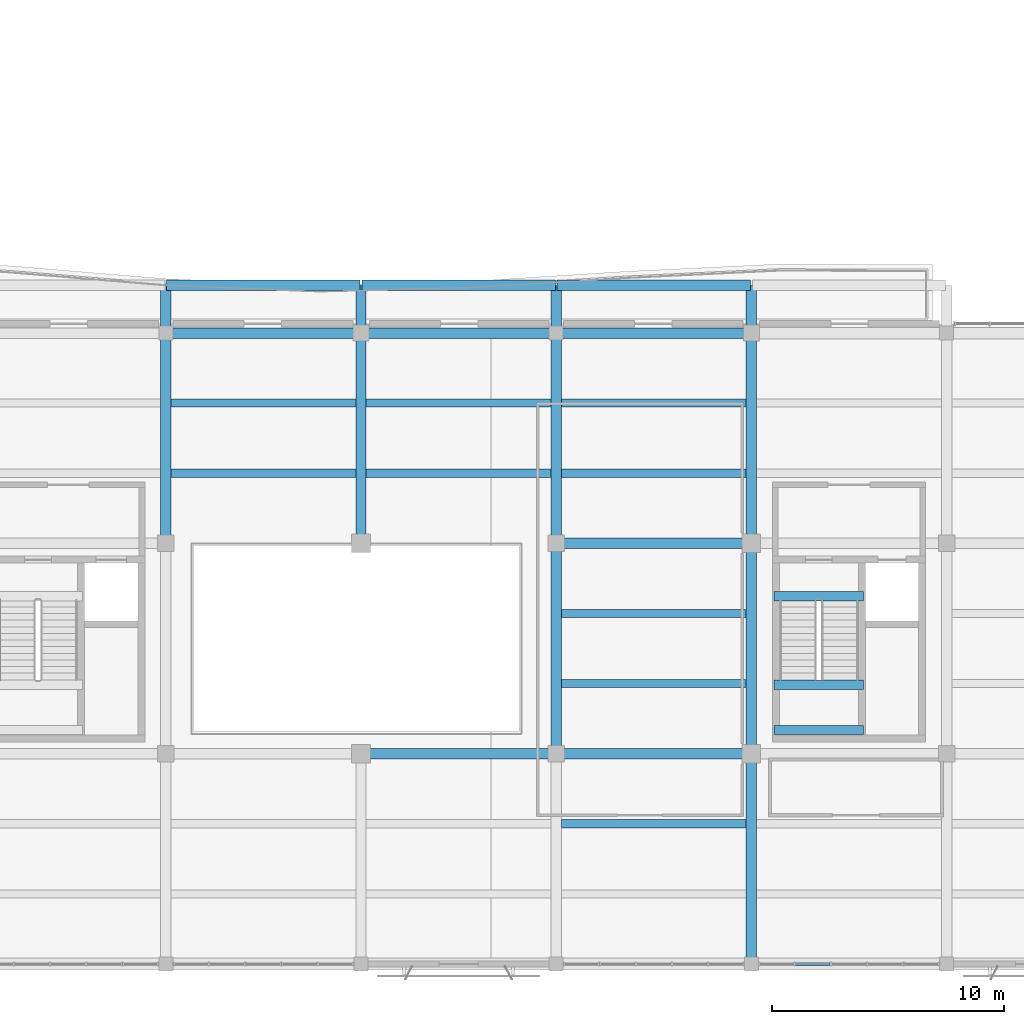
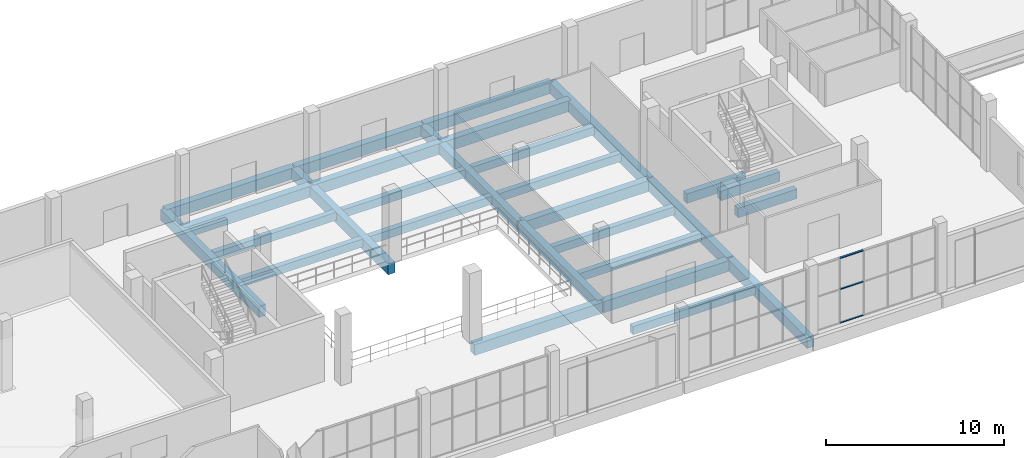
# One storey, part 18 of 80: 28 beams, 3 members, 1 element without a shape of its own.
"""IFC4 building model written with IfcOpenShell, lengths in metres."""

from ifc_helpers import new_model, si_unit, direction, frame, origin, origin_2d, place, context, subcontext, project, spatial, rectangle, hollow_rectangle, extrude, material, material_profile, profile_set, type_object, element, aggregate, save


model = new_model("IFC4")

# Units and contexts
model_context = context("Model", 3, precision=1e-05, world=origin(), true_north=direction((0.0, 1.0)))
body_context = subcontext(model_context, "Body", "Model", "MODEL_VIEW")
ifc_project = project(units=[si_unit("LENGTHUNIT", "METRE"), si_unit("AREAUNIT", "SQUARE_METRE"), si_unit("VOLUMEUNIT", "CUBIC_METRE"), si_unit("PLANEANGLEUNIT", "RADIAN"), si_unit("MASSUNIT", "GRAM", prefix="KILO")], contexts=[model_context])

# Site, building, storey
site_placement = place(None, origin())
site = spatial("IfcSite", under=ifc_project, at=site_placement, CompositionType="ELEMENT")
building_placement = place(site_placement, origin())
building = spatial("IfcBuilding", under=site, at=building_placement, Name="Khurvash Pelagic Aquarium", CompositionType="ELEMENT")
storey_placement = place(building_placement, frame((0.0, 0.0, 10.800048828125)))
storey = spatial("IfcBuildingStorey", under=building, at=storey_placement, Name="L02", CompositionType="ELEMENT", Elevation=10.800048828125)

# Beams
ifc_material_1 = material(Name="Concrete C35/45", Category="concrete")
ifc_material_profile_1 = material_profile(ifc_material_1, rectangle(XDim=0.449951171875, YDim=0.75, at=origin_2d()), Name="RC450X750")
ifc_profile_set_1 = profile_set([ifc_material_profile_1], Name="Concrete C35/45")
beam_type_1 = type_object("IfcBeamType", Name="BM-04", PredefinedType="BEAM", material=ifc_profile_set_1)
for number, where, z_axis, x_axis, name in (
    (1, (75.639892578125, 11.64990234375, -0.695068359375), (1.0, 0.0, 0.0), (0.0, 1.0, 0.0), "L02 Primary Girder BM-04 00578"),
    (2, (84.0400390625, 11.64990234375, -0.695068359375), (1.0, 0.0, 0.0), (0.0, 1.0, 0.0), "L02 Primary Girder BM-04 00579"),
    (3, (84.0400390625, 20.699951171875, -0.695068359375), (1.0, 0.0, 0.0), (0.0, 1.0, 0.0), "L02 Primary Girder BM-04 00587"),
    (4, (67.239990234375, 29.75, -0.695068359375), (1.0, 0.0, 0.0), (0.0, 1.0, 0.0), "L02 Primary Girder BM-04 00596"),
    (5, (75.639892578125, 29.75, -0.695068359375), (1.0, 0.0, 0.0), (0.0, 1.0, 0.0), "L02 Primary Girder BM-04 00597"),
    (6, (84.0400390625, 29.75, -0.695068359375), (1.0, 0.0, 0.0), (0.0, 1.0, 0.0), "L02 Primary Girder BM-04 00598"),
):
    element("IfcBeam", number, at=place(storey_placement, frame(where, z_axis=z_axis, x_axis=x_axis)), inside=storey, type_object=beam_type_1, Name=name, PredefinedType="BEAM", context=body_context, shape_type="SweptSolid", body=[
        extrude(rectangle(XDim=0.449951171875, YDim=0.75, at=origin_2d()), origin(), (0.0, 0.0, 1.0), 8.320068359375),
    ])
for number, where, z_axis, x_axis, name in (
    (7, (67.199951171875, 20.739990234375, -0.695068359375), (0.0, 1.0, 0.0), (-1.0, 0.0, 0.0), "L02 Primary Girder BM-04 00688"),
    (8, (75.60009765625, 20.739990234375, -0.695068359375), (0.0, 1.0, 0.0), (-1.0, 0.0, 0.0), "L02 Primary Girder BM-04 00692"),
):
    element("IfcBeam", number, at=place(storey_placement, frame(where, z_axis=z_axis, x_axis=x_axis)), inside=storey, type_object=beam_type_1, Name=name, PredefinedType="BEAM", context=body_context, shape_type="SweptSolid", body=[
        extrude(rectangle(XDim=0.449951171875, YDim=0.75, at=origin_2d()), origin(), (0.0, 0.0, 1.0), 11.06005859375),
    ])
beam_1_placement = place(storey_placement, frame((84.0, 11.68994140625, -0.675048828125), z_axis=(0.0, 1.0, 0.0), x_axis=(-1.0, 0.0, 0.0)))
element("IfcBeam", 9, at=beam_1_placement, inside=storey, type_object=beam_type_1, Name="L02 Primary Girder BM-04 00696", PredefinedType="BEAM", context=body_context, shape_type="SweptSolid", body=[
    extrude(rectangle(XDim=0.449951171875, YDim=0.75, at=origin_2d()), origin(), (0.0, 0.0, 1.0), 8.969970703125),
])
beam_2_placement = place(storey_placement, frame((84.0, 20.739990234375, -0.695068359375), z_axis=(0.0, 1.0, 0.0), x_axis=(-1.0, 0.0, 0.0)))
element("IfcBeam", 10, at=beam_2_placement, inside=storey, type_object=beam_type_1, Name="L02 Primary Girder BM-04 00697", PredefinedType="BEAM", context=body_context, shape_type="SweptSolid", body=[
    extrude(rectangle(XDim=0.449951171875, YDim=0.75, at=origin_2d()), origin(), (0.0, 0.0, 1.0), 11.06005859375),
])
beam_3_placement = place(storey_placement, frame((92.39990234375, 2.639892578125, -0.675048828125), z_axis=(0.0, 1.0, 0.0), x_axis=(-1.0, 0.0, 0.0)))
element("IfcBeam", 11, at=beam_3_placement, inside=storey, type_object=beam_type_1, Name="L02 Primary Girder BM-04 00700", PredefinedType="BEAM", context=body_context, shape_type="SweptSolid", body=[
    extrude(rectangle(XDim=0.449951171875, YDim=0.75, at=origin_2d()), origin(), (0.0, 0.0, 1.0), 8.97021484375),
])
beam_4_placement = place(storey_placement, frame((92.39990234375, 11.68994140625, -0.675048828125), z_axis=(0.0, 1.0, 0.0), x_axis=(-1.0, 0.0, 0.0)))
element("IfcBeam", 12, at=beam_4_placement, inside=storey, type_object=beam_type_1, Name="L02 Primary Girder BM-04 00701", PredefinedType="BEAM", context=body_context, shape_type="SweptSolid", body=[
    extrude(rectangle(XDim=0.449951171875, YDim=0.75, at=origin_2d()), origin(), (0.0, 0.0, 1.0), 8.969970703125),
])
beam_5_placement = place(storey_placement, frame((92.39990234375, 20.739990234375, -0.695068359375), z_axis=(0.0, 1.0, 0.0), x_axis=(-1.0, 0.0, 0.0)))
element("IfcBeam", 13, at=beam_5_placement, inside=storey, type_object=beam_type_1, Name="L02 Primary Girder BM-04 00702", PredefinedType="BEAM", context=body_context, shape_type="SweptSolid", body=[
    extrude(rectangle(XDim=0.449951171875, YDim=0.75, at=origin_2d()), origin(), (0.0, 0.0, 1.0), 11.06005859375),
])
for number, where, z_axis, x_axis, name in (
    (14, (67.239990234375, 31.800048828125, -0.695068359375), (1.0, 0.0, 0.0), (0.0, 1.0, 0.0), "L02 Terrace Edge Trimmer Beam BM-04"),
    (15, (75.639892578125, 31.800048828125, -0.695068359375), (1.0, 0.0, 0.0), (0.0, 1.0, 0.0), "L02 Terrace Edge Trimmer Beam BM-04"),
    (16, (84.0400390625, 31.800048828125, -0.695068359375), (1.0, 0.0, 0.0), (0.0, 1.0, 0.0), "L02 Terrace Edge Trimmer Beam BM-04"),
):
    element("IfcBeam", number, at=place(storey_placement, frame(where, z_axis=z_axis, x_axis=x_axis)), inside=storey, type_object=beam_type_1, Name=name, PredefinedType="BEAM", context=body_context, shape_type="SweptSolid", body=[
        extrude(rectangle(XDim=0.449951171875, YDim=0.75, at=origin_2d()), origin(), (0.0, 0.0, 1.0), 8.320068359375),
    ])
ifc_material_profile_2 = material_profile(ifc_material_1, rectangle(XDim=0.39990234375, YDim=0.64990234375, at=origin_2d()), Name="RC400X650")
ifc_profile_set_2 = profile_set([ifc_material_profile_2], Name="Concrete C35/45")
beam_type_2 = type_object("IfcBeamType", Name="BM-05", PredefinedType="BEAM", material=ifc_profile_set_2)
for number, where, z_axis, x_axis, name in (
    (17, (93.3798828125, 18.429931640625, -0.625), (1.0, 0.0, 0.0), (0.0, 1.0, 0.0), "L02 Stair ST-03 Header Trimmer Beam BM-05"),
    (18, (93.3798828125, 12.669921875, 1.875), (1.0, 0.0, 0.0), (0.0, 1.0, 0.0), "L02 Stair ST-03 Mid-Landing Trimmer Beam BM-05"),
    (19, (93.3798828125, 14.610107421875, 1.875), (1.0, 0.0, 0.0), (0.0, 1.0, 0.0), "L02 Stair ST-03 Mid-Landing Trimmer Beam BM-05"),
):
    element("IfcBeam", number, at=place(storey_placement, frame(where, z_axis=z_axis, x_axis=x_axis)), inside=storey, type_object=beam_type_2, Name=name, PredefinedType="BEAM", context=body_context, shape_type="SweptSolid", body=[
        extrude(rectangle(XDim=0.39990234375, YDim=0.64990234375, at=origin_2d()), origin(), (0.0, 0.0, 1.0), 3.840087890625),
    ])

# Curtain wall, members
ifc_material_2 = material(Name="Anodised aluminium and low-E laminated glass", Category="aluminium")
curtain_wall_type = type_object("IfcCurtainWallType", Name="CW-06", PredefinedType="USERDEFINED", material=ifc_material_2)
curtain_wall_placement = place(storey_placement, origin())
curtain_wall = element("IfcCurtainWall", 20, at=curtain_wall_placement, inside=storey, type_object=curtain_wall_type, Name="L02 Facade Unitised Curtain Wall CW-06 0156", ObjectType="UNITISED CURTAIN WALL", PredefinedType="USERDEFINED")
ifc_material_3 = material(Name="Extruded aluminium AW-6063-T6", Category="aluminium")
ifc_material_profile_3 = material_profile(ifc_material_3, hollow_rectangle(XDim=0.1201171875, YDim=0.06005859375, WallThickness=0.00390625, at=origin_2d()), Name="CWT120X60X4")
ifc_profile_set_3 = profile_set([ifc_material_profile_3], Name="Extruded aluminium AW-6063-T6")
member_type = type_object("IfcMemberType", Name="CT-02", PredefinedType="USERDEFINED", material=ifc_profile_set_3)
member_1_placement = place(storey_placement, frame((94.29296875, 2.60009765625, 0.030029296875), z_axis=(1.0, 0.0, 0.0), x_axis=(0.0, 1.0, 0.0)))
member_1 = element("IfcMember", 21, at=member_1_placement, type_object=member_type, Name="CW-06 transom 2.1", ObjectType="TRANSOM", PredefinedType="USERDEFINED", context=body_context, shape_type="SweptSolid", body=[
    extrude(hollow_rectangle(XDim=0.1201171875, YDim=0.06005859375, WallThickness=0.00390625, at=origin_2d()), origin(), (0.0, 0.0, 1.0), 1.498046875),
])
member_2_placement = place(storey_placement, frame((94.29296875, 2.60009765625, 2.33984375), z_axis=(1.0, 0.0, 0.0), x_axis=(0.0, 1.0, 0.0)))
member_2 = element("IfcMember", 22, at=member_2_placement, type_object=member_type, Name="CW-06 transom 2.2", ObjectType="TRANSOM", PredefinedType="USERDEFINED", context=body_context, shape_type="SweptSolid", body=[
    extrude(hollow_rectangle(XDim=0.1201171875, YDim=0.06005859375, WallThickness=0.00390625, at=origin_2d()), origin(), (0.0, 0.0, 1.0), 1.498046875),
])
member_3_placement = place(storey_placement, frame((94.29296875, 2.60009765625, 4.469970703125), z_axis=(1.0, 0.0, 0.0), x_axis=(0.0, 1.0, 0.0)))
member_3 = element("IfcMember", 23, at=member_3_placement, type_object=member_type, Name="CW-06 transom 2.3", ObjectType="TRANSOM", PredefinedType="USERDEFINED", context=body_context, shape_type="SweptSolid", body=[
    extrude(hollow_rectangle(XDim=0.1201171875, YDim=0.06005859375, WallThickness=0.00390625, at=origin_2d()), origin(), (0.0, 0.0, 1.0), 1.498046875),
])
aggregate(curtain_wall, [member_1, member_2, member_3])

# Beams
ifc_material_profile_4 = material_profile(ifc_material_1, rectangle(XDim=0.35009765625, YDim=0.550048828125, at=origin_2d()), Name="RC350X550")
ifc_profile_set_4 = profile_set([ifc_material_profile_4], Name="Concrete C35/45")
beam_type_3 = type_object("IfcBeamType", Name="JS-01", PredefinedType="JOIST", material=ifc_profile_set_4)
for number, where, z_axis, x_axis, name in (
    (24, (67.425048828125, 23.717041015625, -0.574951171875), (1.0, 0.0, 0.0), (0.0, 1.0, 0.0), "L02 Floor Joist JS-01 00783"),
    (25, (67.425048828125, 26.73291015625, -0.574951171875), (1.0, 0.0, 0.0), (0.0, 1.0, 0.0), "L02 Floor Joist JS-01 00784"),
    (26, (75.824951171875, 23.717041015625, -0.574951171875), (1.0, 0.0, 0.0), (0.0, 1.0, 0.0), "L02 Floor Joist JS-01 00789"),
    (27, (75.824951171875, 26.73291015625, -0.574951171875), (1.0, 0.0, 0.0), (0.0, 1.0, 0.0), "L02 Floor Joist JS-01 00790"),
    (28, (84.22509765625, 8.633056640625, -0.574951171875), (1.0, 0.0, 0.0), (0.0, 1.0, 0.0), "L02 Floor Joist JS-01 00796"),
    (29, (84.22509765625, 14.6669921875, -0.574951171875), (1.0, 0.0, 0.0), (0.0, 1.0, 0.0), "L02 Floor Joist JS-01 00797"),
    (30, (84.22509765625, 17.68310546875, -0.574951171875), (1.0, 0.0, 0.0), (0.0, 1.0, 0.0), "L02 Floor Joist JS-01 00798"),
    (31, (84.22509765625, 23.717041015625, -0.574951171875), (1.0, 0.0, 0.0), (0.0, 1.0, 0.0), "L02 Floor Joist JS-01 00799"),
    (32, (84.22509765625, 26.73291015625, -0.574951171875), (1.0, 0.0, 0.0), (0.0, 1.0, 0.0), "L02 Floor Joist JS-01 00800"),
):
    element("IfcBeam", number, at=place(storey_placement, frame(where, z_axis=z_axis, x_axis=x_axis)), inside=storey, type_object=beam_type_3, Name=name, PredefinedType="JOIST", context=body_context, shape_type="SweptSolid", body=[
        extrude(rectangle(XDim=0.35009765625, YDim=0.550048828125, at=origin_2d()), origin(), (0.0, 0.0, 1.0), 7.949951171875),
    ])

save(model, "model.ifc")
